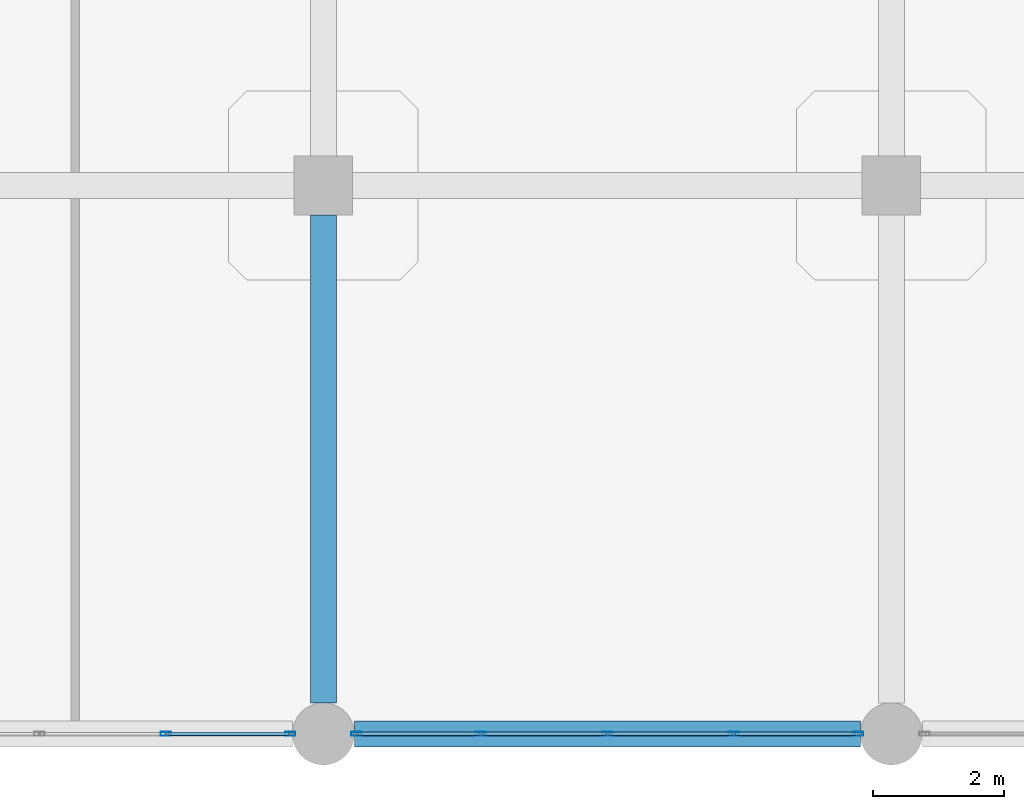
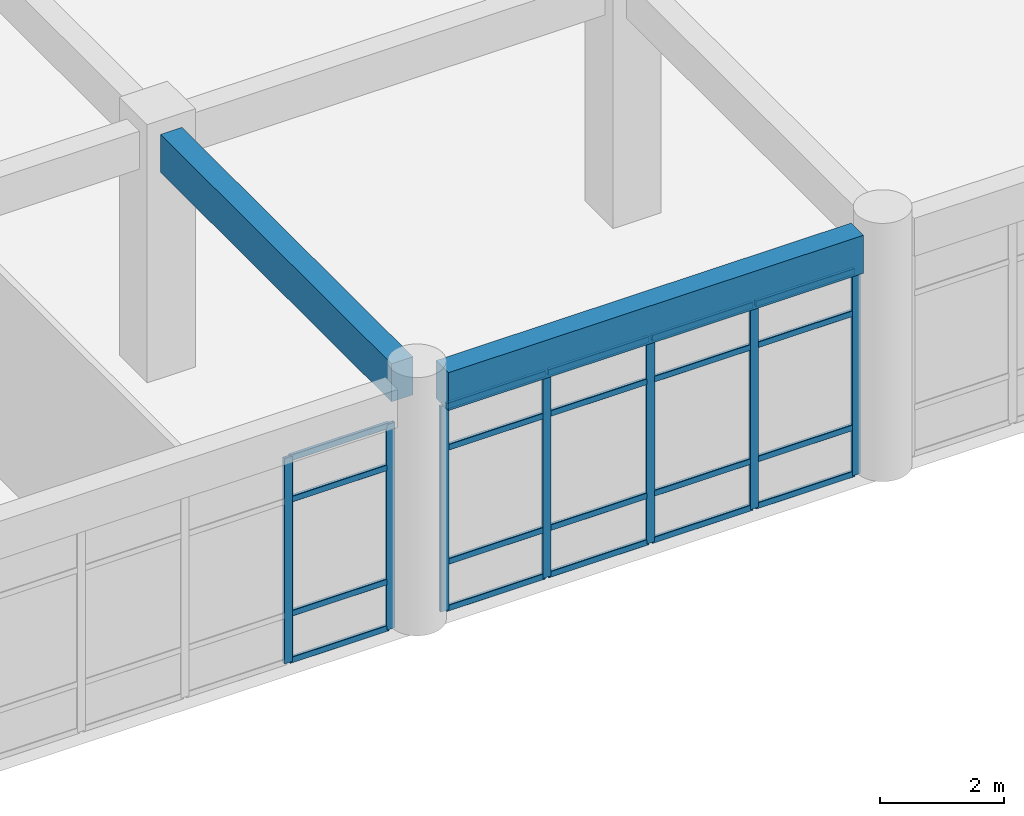
# One storey, part 12 of 120: 27 members, 2 beams, 2 elements without a shape of their own.
"""IFC4 building model written with IfcOpenShell, lengths in metres."""

import ifcopenshell
import ifcopenshell.guid

model = None  # the IFC model being written
_history = None  # IfcOwnerHistory: only IFC2X3 demands one
_inside = {}  # id of a spatial element -> (the spatial element, [elements in it])
_under = {}  # id of a project, library or spatial element -> (it, [spatial elements below it])
_declared = {}  # id of a project -> (the project, [libraries it declares])
_typed = {}  # id of a type object -> (the type object, [elements of that type])
_made_of = {}  # id of a material, layer set ... -> (it, [elements and type objects made of it])


def new_model(schema):
    """Start an empty IFC model of exactly this schema.

    Asked for "IFC4X3", IfcOpenShell would pick the latest addendum, in which some entities
    have other attributes; the version numbers below select the first issue.
    IFC2X3 requires an IfcOwnerHistory on every rooted entity: one is made here for all.
    """
    global model, _history
    if schema == "IFC4X3":
        model = ifcopenshell.file(schema_version=(4, 3, 0, 0))
    else:
        model = ifcopenshell.file(schema=schema)
    _inside.clear()
    _under.clear()
    _declared.clear()
    _typed.clear()
    _made_of.clear()
    _history = None
    if model.schema == "IFC2X3":
        org = make("IfcOrganization", Name="unknown")
        user = make(
            "IfcPersonAndOrganization",
            ThePerson=make("IfcPerson", FamilyName="unknown"),
            TheOrganization=org,
        )
        app = make(
            "IfcApplication",
            ApplicationDeveloper=org,
            Version="unknown",
            ApplicationFullName="unknown",
            ApplicationIdentifier="unknown",
        )
        _history = make(
            "IfcOwnerHistory",
            OwningUser=user,
            OwningApplication=app,
            ChangeAction="ADDED",
            CreationDate=0,
        )
    return model


def make(cls, **values):
    """One entity of the class cls with the attributes given. An attribute that is None is left unset."""
    return model.create_entity(
        cls, **{name: value for name, value in values.items() if value is not None}
    )


def rooted(cls, **values):
    """An entity with a GlobalId (a new one), such as an element, a storey or a relation."""
    return make(cls, GlobalId=ifcopenshell.guid.new(), OwnerHistory=_history, **values)


def si_unit(unit_type, name, prefix=None):
    """IfcSIUnit, for example si_unit("LENGTHUNIT", "METRE", prefix="MILLI")."""
    return make("IfcSIUnit", UnitType=unit_type, Prefix=prefix, Name=name)


def derived_unit(unit_type, elements):
    """IfcDerivedUnit: a product of units, each with its exponent."""
    return make(
        "IfcDerivedUnit",
        Elements=[
            make("IfcDerivedUnitElement", Unit=unit, Exponent=power)
            for unit, power in elements
        ],
        UnitType=unit_type,
    )


def assignment(units):
    """IfcUnitAssignment: the units of a project."""
    return None if units is None else make("IfcUnitAssignment", Units=units)


def point(xyz):
    """IfcCartesianPoint."""
    return None if xyz is None else make("IfcCartesianPoint", Coordinates=xyz)


def direction(xyz):
    """IfcDirection."""
    return None if xyz is None else make("IfcDirection", DirectionRatios=xyz)


def frame(location, z_axis=None, x_axis=None):
    """IfcAxis2Placement3D, a coordinate frame: its origin and axes. An axis left out is left unset."""
    return make(
        "IfcAxis2Placement3D",
        Location=point(location),
        Axis=direction(z_axis),
        RefDirection=direction(x_axis),
    )


def frame_2d(location, x_axis=None):
    """IfcAxis2Placement2D, a coordinate frame in the plane: its origin and x axis."""
    return make(
        "IfcAxis2Placement2D", Location=point(location), RefDirection=direction(x_axis)
    )


def origin():
    """The frame at (0, 0, 0) with its axes left unset."""
    return frame((0.0, 0.0, 0.0))


def origin_2d():
    """The frame at (0, 0) in the plane with its x axis left unset."""
    return frame_2d((0.0, 0.0))


def place(relative_to, where):
    """IfcLocalPlacement: puts the frame where relative to a parent placement (None: the world)."""
    return make(
        "IfcLocalPlacement", PlacementRelTo=relative_to, RelativePlacement=where
    )


def context(
    kind, dimensions, precision=None, world=None, true_north=None, identifier=None
):
    """IfcGeometricRepresentationContext, for example the 3D "Model" context."""
    return make(
        "IfcGeometricRepresentationContext",
        ContextIdentifier=identifier,
        ContextType=kind,
        CoordinateSpaceDimension=dimensions,
        Precision=precision,
        WorldCoordinateSystem=world,
        TrueNorth=true_north,
    )


def subcontext(parent, identifier, kind, view, scale=None):
    """IfcGeometricRepresentationSubContext, for example "Body" below "Model"."""
    return make(
        "IfcGeometricRepresentationSubContext",
        ContextIdentifier=identifier,
        ContextType=kind,
        ParentContext=parent,
        TargetScale=scale,
        TargetView=view,
    )


def project(units=None, contexts=None):
    """IfcProject with its units and contexts."""
    return rooted(
        "IfcProject",
        Name="project",
        RepresentationContexts=contexts,
        UnitsInContext=assignment(units),
    )


def spatial(cls, under=None, at=None, **own):
    """A site, building, storey or space (cls), placed at a placement, below another one or the project."""
    s = rooted(cls, ObjectPlacement=at, **own)
    if under is not None:
        _under.setdefault(under.id(), (under, []))[1].append(s)
    return s


def profile(cls, at=None, kind="AREA", **sizes):
    """A parametric profile (cls). Its sizes go by their IFC names, for example OverallWidth=200.0."""
    return make(cls, ProfileType=kind, Position=at, **sizes)


def rectangle(**sizes):
    """IfcRectangleProfileDef."""
    return profile("IfcRectangleProfileDef", **sizes)


def hollow_rectangle(**sizes):
    """IfcRectangleHollowProfileDef."""
    return profile("IfcRectangleHollowProfileDef", **sizes)


def extrude(swept, where, along, depth):
    """IfcExtrudedAreaSolid: the profile swept, set in the frame where, extruded along a direction by depth."""
    return make(
        "IfcExtrudedAreaSolid",
        SweptArea=swept,
        Position=where,
        ExtrudedDirection=direction(along),
        Depth=depth,
    )


def shape(context_of_items, identifier, shape_type, items):
    """IfcShapeRepresentation: the items that make up one representation, for example the "Body"."""
    return make(
        "IfcShapeRepresentation",
        ContextOfItems=context_of_items,
        RepresentationIdentifier=identifier,
        RepresentationType=shape_type,
        Items=items,
    )


def material(Name=None, Category=None):
    """IfcMaterial."""
    return make("IfcMaterial", Name=Name, Category=Category)


def layer(
    of_material, thickness, ventilated=None, Name=None, Category=None, Priority=None
):
    """IfcMaterialLayer: one layer of a wall or slab, of a material (None: an air gap)."""
    return make(
        "IfcMaterialLayer",
        Material=of_material,
        LayerThickness=thickness,
        IsVentilated=ventilated,
        Name=Name,
        Category=Category,
        Priority=Priority,
    )


def layer_set(layers, Name=None):
    """IfcMaterialLayerSet."""
    return make("IfcMaterialLayerSet", MaterialLayers=layers, LayerSetName=Name)


def material_profile(
    of_material, cross_section, Name=None, Category=None, Priority=None
):
    """IfcMaterialProfile: a cross section and its material."""
    return make(
        "IfcMaterialProfile",
        Name=Name,
        Material=of_material,
        Profile=cross_section,
        Priority=Priority,
        Category=Category,
    )


def profile_set(profiles, Name=None, composite=None):
    """IfcMaterialProfileSet."""
    return make(
        "IfcMaterialProfileSet",
        Name=Name,
        MaterialProfiles=profiles,
        CompositeProfile=composite,
    )


def made_of(thing, what):
    """Note that an element or type object is made of a material, layer set ...; save() writes the relation."""
    if what is not None:
        _made_of.setdefault(what.id(), (what, []))[1].append(thing)
    return thing


def type_object(cls, material=None, **own):
    """A type object (cls), such as IfcWallType, which elements share."""
    return made_of(rooted(cls, **own), material)


def element(
    cls,
    number,
    at=None,
    inside=None,
    cuts=None,
    type_object=None,
    material=None,
    context=None,
    identifier="Body",
    shape_type=None,
    held_by="IfcProductDefinitionShape",
    body=None,
    shapes=None,
    **own,
):
    """One element of the class cls, such as IfcWall. Its Tag is "e" and its number.

    at: its placement. inside: the storey or other place that contains it. cuts: it is an
    opening in that element (IfcRelVoidsElement). A single representation is given by context,
    identifier, shape_type and body (its items); several are given by shapes. held_by: the class
    of the entity that holds the representations. save() writes the other relations.
    """
    e = rooted(cls, Tag="e%d" % number, ObjectPlacement=at, **own)
    if body is not None:
        shapes = [shape(context, identifier, shape_type, body)]
    if shapes is not None:
        e.Representation = make(held_by, Representations=shapes)
    if inside is not None:
        _inside.setdefault(inside.id(), (inside, []))[1].append(e)
    if cuts is not None:
        rooted(
            "IfcRelVoidsElement", RelatingBuildingElement=cuts, RelatedOpeningElement=e
        )
    if type_object is not None:
        _typed.setdefault(type_object.id(), (type_object, []))[1].append(e)
    return made_of(e, material)


def aggregate(whole, parts):
    """IfcRelAggregates: a whole, such as a stair, and the parts it consists of."""
    return rooted("IfcRelAggregates", RelatingObject=whole, RelatedObjects=parts)


def save(model, path):
    """Write the relations noted so far, then the file.

    IfcRelAggregates (storeys below a building ...), IfcRelContainedInSpatialStructure (elements
    in a storey), IfcRelDefinesByType, IfcRelAssociatesMaterial and IfcRelDeclares: one each for
    every whole, place, type object, material and project.
    """
    for whole, parts in _under.values():
        aggregate(whole, parts)
    for where, things in _inside.values():
        rooted(
            "IfcRelContainedInSpatialStructure",
            RelatedElements=things,
            RelatingStructure=where,
        )
    for kind, things in _typed.values():
        rooted("IfcRelDefinesByType", RelatedObjects=things, RelatingType=kind)
    for what, things in _made_of.values():
        rooted("IfcRelAssociatesMaterial", RelatedObjects=things, RelatingMaterial=what)
    for by, libraries in _declared.values():
        rooted("IfcRelDeclares", RelatingContext=by, RelatedDefinitions=libraries)
    model.write(path)


model = new_model("IFC4")

# Units and contexts
model_context = context("Model", 3, precision=1e-05, world=origin(), true_north=direction((0.0, 1.0)))
body_context = subcontext(model_context, "Body", "Model", "MODEL_VIEW")
ifc_project = project(units=[si_unit("LENGTHUNIT", "METRE"), si_unit("AREAUNIT", "SQUARE_METRE"), si_unit("VOLUMEUNIT", "CUBIC_METRE"), si_unit("PLANEANGLEUNIT", "RADIAN"), si_unit("MASSUNIT", "GRAM", prefix="KILO"), derived_unit("THERMALTRANSMITTANCEUNIT", [(si_unit("MASSUNIT", "GRAM", prefix="KILO"), 1), (si_unit("TIMEUNIT", "SECOND"), -3), (si_unit("THERMODYNAMICTEMPERATUREUNIT", "KELVIN"), -1)])], contexts=[model_context])

# Site, building, storey
site_placement = place(None, origin())
site = spatial("IfcSite", under=ifc_project, at=site_placement, CompositionType="ELEMENT")
building_placement = place(site_placement, origin())
building = spatial("IfcBuilding", under=site, at=building_placement, Name="Qinzheling Arcade Emporium", CompositionType="ELEMENT")
storey_placement = place(building_placement, frame((0.0, 0.0, 11.39990234375)))
storey = spatial("IfcBuildingStorey", under=building, at=storey_placement, Name="L03", CompositionType="ELEMENT", Elevation=11.39990234375)

# Curtain wall, members
ifc_material_1 = material(Name="Anodised aluminium and solar-control double glazing", Category="aluminium")
ifc_layer = layer(ifc_material_1, 0.159912109375, Name="Anodised aluminium and solar-control double glazing", Category="aluminium")
ifc_layer_set = layer_set([ifc_layer], Name="Anodised aluminium and solar-control double glazing")
curtain_wall_type = type_object("IfcCurtainWallType", Name="Arcade Portal Glazed Curtain Wall", PredefinedType="NOTDEFINED", material=ifc_layer_set)
curtain_wall_1_placement = place(storey_placement, origin())
curtain_wall_1 = element("IfcCurtainWall", 1, at=curtain_wall_1_placement, inside=storey, type_object=curtain_wall_type, Name="Curtain Wall CW-L03-151", PredefinedType="NOTDEFINED")
ifc_material_2 = material(Name="Anodised aluminium 6063-T6", Category="aluminium")
ifc_material_profile_1 = material_profile(ifc_material_2, hollow_rectangle(XDim=0.06005859375, YDim=0.159912109375, WallThickness=0.00390625, InnerFilletRadius=0.00390625, OuterFilletRadius=0.008056640625, at=origin_2d()), Name="RHS 160x60x4", Category="aluminium")
ifc_profile_set_1 = profile_set([ifc_material_profile_1], Name="Anodised aluminium 6063-T6")
member_type_1 = type_object("IfcMemberType", Name="Curtain Wall Mullion RHS160x60", PredefinedType="MULLION", material=ifc_profile_set_1)
member_1_placement = place(storey_placement, frame((42.992919921875, 0.0, 0.0), z_axis=(0.0, 0.0, 1.0), x_axis=(0.0, -1.0, 0.0)))
member_1 = element("IfcMember", 2, at=member_1_placement, type_object=member_type_1, Name="CW05 mullion 1", PredefinedType="MULLION", context=body_context, shape_type="SweptSolid", body=[
    extrude(hollow_rectangle(XDim=0.06005859375, YDim=0.159912109375, WallThickness=0.00390625, InnerFilletRadius=0.00390625, OuterFilletRadius=0.008056640625, at=origin_2d()), origin(), (0.0, 0.0, 1.0), 4.05517578125),
])
member_2_placement = place(storey_placement, frame((41.08642578125, 0.0, 0.0), z_axis=(0.0, 0.0, 1.0), x_axis=(0.0, -1.0, 0.0)))
member_2 = element("IfcMember", 3, at=member_2_placement, type_object=member_type_1, Name="CW05 mullion 2", PredefinedType="MULLION", context=body_context, shape_type="SweptSolid", body=[
    extrude(hollow_rectangle(XDim=0.06005859375, YDim=0.159912109375, WallThickness=0.00390625, InnerFilletRadius=0.00390625, OuterFilletRadius=0.008056640625, at=origin_2d()), origin(), (0.0, 0.0, 1.0), 4.05517578125),
])
member_3_placement = place(storey_placement, frame((39.14990234375, 0.0, 0.0), z_axis=(0.0, 0.0, 1.0), x_axis=(0.0, -1.0, 0.0)))
member_3 = element("IfcMember", 4, at=member_3_placement, type_object=member_type_1, Name="CW05 mullion 3", PredefinedType="MULLION", context=body_context, shape_type="SweptSolid", body=[
    extrude(hollow_rectangle(XDim=0.06005859375, YDim=0.159912109375, WallThickness=0.00390625, InnerFilletRadius=0.00390625, OuterFilletRadius=0.008056640625, at=origin_2d()), origin(), (0.0, 0.0, 1.0), 4.05517578125),
])
member_4_placement = place(storey_placement, frame((37.21337890625, 0.0, 0.0), z_axis=(0.0, 0.0, 1.0), x_axis=(0.0, -1.0, 0.0)))
member_4 = element("IfcMember", 5, at=member_4_placement, type_object=member_type_1, Name="CW05 mullion 4", PredefinedType="MULLION", context=body_context, shape_type="SweptSolid", body=[
    extrude(hollow_rectangle(XDim=0.06005859375, YDim=0.159912109375, WallThickness=0.00390625, InnerFilletRadius=0.00390625, OuterFilletRadius=0.008056640625, at=origin_2d()), origin(), (0.0, 0.0, 1.0), 4.05517578125),
])
member_5_placement = place(storey_placement, frame((35.306884765625, 0.0, 0.0), z_axis=(0.0, 0.0, 1.0), x_axis=(0.0, -1.0, 0.0)))
member_5 = element("IfcMember", 6, at=member_5_placement, type_object=member_type_1, Name="CW05 mullion 5", PredefinedType="MULLION", context=body_context, shape_type="SweptSolid", body=[
    extrude(hollow_rectangle(XDim=0.06005859375, YDim=0.159912109375, WallThickness=0.00390625, InnerFilletRadius=0.00390625, OuterFilletRadius=0.008056640625, at=origin_2d()), origin(), (0.0, 0.0, 1.0), 4.05517578125),
])

curtain_wall_2_placement = place(storey_placement, origin())
curtain_wall_2 = element("IfcCurtainWall", 7, at=curtain_wall_2_placement, inside=storey, type_object=curtain_wall_type, Name="Curtain Wall CW-L03-152", PredefinedType="NOTDEFINED")
member_6_placement = place(storey_placement, frame((34.29296875, 0.0, 0.0), z_axis=(0.0, 0.0, 1.0), x_axis=(0.0, -1.0, 0.0)))
member_6 = element("IfcMember", 8, at=member_6_placement, type_object=member_type_1, Name="CW05 mullion 1", PredefinedType="MULLION", context=body_context, shape_type="SweptSolid", body=[
    extrude(hollow_rectangle(XDim=0.06005859375, YDim=0.159912109375, WallThickness=0.00390625, InnerFilletRadius=0.00390625, OuterFilletRadius=0.008056640625, at=origin_2d()), origin(), (0.0, 0.0, 1.0), 4.05517578125),
])
member_7_placement = place(storey_placement, frame((32.386474609375, 0.0, 0.0), z_axis=(0.0, 0.0, 1.0), x_axis=(0.0, -1.0, 0.0)))
member_7 = element("IfcMember", 9, at=member_7_placement, type_object=member_type_1, Name="CW05 mullion 2", PredefinedType="MULLION", context=body_context, shape_type="SweptSolid", body=[
    extrude(hollow_rectangle(XDim=0.06005859375, YDim=0.159912109375, WallThickness=0.00390625, InnerFilletRadius=0.00390625, OuterFilletRadius=0.008056640625, at=origin_2d()), origin(), (0.0, 0.0, 1.0), 4.05517578125),
])

# Member
ifc_material_profile_2 = material_profile(ifc_material_2, hollow_rectangle(XDim=0.06005859375, YDim=0.1201171875, WallThickness=0.00390625, InnerFilletRadius=0.00390625, OuterFilletRadius=0.008056640625, at=origin_2d()), Name="RHS 120x60x4", Category="aluminium")
ifc_profile_set_2 = profile_set([ifc_material_profile_2], Name="Anodised aluminium 6063-T6")
member_type_2 = type_object("IfcMemberType", Name="Curtain Wall Transom RHS120x60", PredefinedType="USERDEFINED", material=ifc_profile_set_2)
member_8_placement = place(storey_placement, frame((42.962890625, 0.0, 0.030029296875), z_axis=(-1.0, 0.0, 0.0), x_axis=(0.0, -1.0, 0.0)))
member_8 = element("IfcMember", 10, at=member_8_placement, type_object=member_type_2, Name="CW05 transom 1.1", ObjectType="TRANSOM", PredefinedType="USERDEFINED", context=body_context, shape_type="SweptSolid", body=[
    extrude(hollow_rectangle(XDim=0.06005859375, YDim=0.1201171875, WallThickness=0.00390625, InnerFilletRadius=0.00390625, OuterFilletRadius=0.008056640625, at=origin_2d()), origin(), (0.0, 0.0, 1.0), 1.846435546875),
])

member_9_placement = place(storey_placement, frame((42.962890625, 0.0, 0.9501953125), z_axis=(-1.0, 0.0, 0.0), x_axis=(0.0, -1.0, 0.0)))
member_9 = element("IfcMember", 11, at=member_9_placement, type_object=member_type_2, Name="CW05 transom 1.2", ObjectType="TRANSOM", PredefinedType="USERDEFINED", context=body_context, shape_type="SweptSolid", body=[
    extrude(hollow_rectangle(XDim=0.06005859375, YDim=0.1201171875, WallThickness=0.00390625, InnerFilletRadius=0.00390625, OuterFilletRadius=0.008056640625, at=origin_2d()), origin(), (0.0, 0.0, 1.0), 1.846435546875),
])

member_10_placement = place(storey_placement, frame((42.962890625, 0.0, 3.205078125), z_axis=(-1.0, 0.0, 0.0), x_axis=(0.0, -1.0, 0.0)))
member_10 = element("IfcMember", 12, at=member_10_placement, type_object=member_type_2, Name="CW05 transom 1.3", ObjectType="TRANSOM", PredefinedType="USERDEFINED", context=body_context, shape_type="SweptSolid", body=[
    extrude(hollow_rectangle(XDim=0.06005859375, YDim=0.1201171875, WallThickness=0.00390625, InnerFilletRadius=0.00390625, OuterFilletRadius=0.008056640625, at=origin_2d()), origin(), (0.0, 0.0, 1.0), 1.846435546875),
])

member_11_placement = place(storey_placement, frame((42.962890625, 0.0, 4.025146484375), z_axis=(-1.0, 0.0, 0.0), x_axis=(0.0, -1.0, 0.0)))
member_11 = element("IfcMember", 13, at=member_11_placement, type_object=member_type_2, Name="CW05 transom 1.4", ObjectType="TRANSOM", PredefinedType="USERDEFINED", context=body_context, shape_type="SweptSolid", body=[
    extrude(hollow_rectangle(XDim=0.06005859375, YDim=0.1201171875, WallThickness=0.00390625, InnerFilletRadius=0.00390625, OuterFilletRadius=0.008056640625, at=origin_2d()), origin(), (0.0, 0.0, 1.0), 1.846435546875),
])

member_12_placement = place(storey_placement, frame((41.056396484375, 0.0, 0.030029296875), z_axis=(-1.0, 0.0, 0.0), x_axis=(0.0, -1.0, 0.0)))
member_12 = element("IfcMember", 14, at=member_12_placement, type_object=member_type_2, Name="CW05 transom 2.1", ObjectType="TRANSOM", PredefinedType="USERDEFINED", context=body_context, shape_type="SweptSolid", body=[
    extrude(hollow_rectangle(XDim=0.06005859375, YDim=0.1201171875, WallThickness=0.00390625, InnerFilletRadius=0.00390625, OuterFilletRadius=0.008056640625, at=origin_2d()), origin(), (0.0, 0.0, 1.0), 1.87646484375),
])

member_13_placement = place(storey_placement, frame((41.056396484375, 0.0, 0.9501953125), z_axis=(-1.0, 0.0, 0.0), x_axis=(0.0, -1.0, 0.0)))
member_13 = element("IfcMember", 15, at=member_13_placement, type_object=member_type_2, Name="CW05 transom 2.2", ObjectType="TRANSOM", PredefinedType="USERDEFINED", context=body_context, shape_type="SweptSolid", body=[
    extrude(hollow_rectangle(XDim=0.06005859375, YDim=0.1201171875, WallThickness=0.00390625, InnerFilletRadius=0.00390625, OuterFilletRadius=0.008056640625, at=origin_2d()), origin(), (0.0, 0.0, 1.0), 1.87646484375),
])

member_14_placement = place(storey_placement, frame((41.056396484375, 0.0, 3.205078125), z_axis=(-1.0, 0.0, 0.0), x_axis=(0.0, -1.0, 0.0)))
member_14 = element("IfcMember", 16, at=member_14_placement, type_object=member_type_2, Name="CW05 transom 2.3", ObjectType="TRANSOM", PredefinedType="USERDEFINED", context=body_context, shape_type="SweptSolid", body=[
    extrude(hollow_rectangle(XDim=0.06005859375, YDim=0.1201171875, WallThickness=0.00390625, InnerFilletRadius=0.00390625, OuterFilletRadius=0.008056640625, at=origin_2d()), origin(), (0.0, 0.0, 1.0), 1.87646484375),
])

member_15_placement = place(storey_placement, frame((41.056396484375, 0.0, 4.025146484375), z_axis=(-1.0, 0.0, 0.0), x_axis=(0.0, -1.0, 0.0)))
member_15 = element("IfcMember", 17, at=member_15_placement, type_object=member_type_2, Name="CW05 transom 2.4", ObjectType="TRANSOM", PredefinedType="USERDEFINED", context=body_context, shape_type="SweptSolid", body=[
    extrude(hollow_rectangle(XDim=0.06005859375, YDim=0.1201171875, WallThickness=0.00390625, InnerFilletRadius=0.00390625, OuterFilletRadius=0.008056640625, at=origin_2d()), origin(), (0.0, 0.0, 1.0), 1.87646484375),
])

member_16_placement = place(storey_placement, frame((39.1201171875, 0.0, 0.030029296875), z_axis=(-1.0, 0.0, 0.0), x_axis=(0.0, -1.0, 0.0)))
member_16 = element("IfcMember", 18, at=member_16_placement, type_object=member_type_2, Name="CW05 transom 3.1", ObjectType="TRANSOM", PredefinedType="USERDEFINED", context=body_context, shape_type="SweptSolid", body=[
    extrude(hollow_rectangle(XDim=0.06005859375, YDim=0.1201171875, WallThickness=0.00390625, InnerFilletRadius=0.00390625, OuterFilletRadius=0.008056640625, at=origin_2d()), origin(), (0.0, 0.0, 1.0), 1.876708984375),
])

member_17_placement = place(storey_placement, frame((39.1201171875, 0.0, 0.9501953125), z_axis=(-1.0, 0.0, 0.0), x_axis=(0.0, -1.0, 0.0)))
member_17 = element("IfcMember", 19, at=member_17_placement, type_object=member_type_2, Name="CW05 transom 3.2", ObjectType="TRANSOM", PredefinedType="USERDEFINED", context=body_context, shape_type="SweptSolid", body=[
    extrude(hollow_rectangle(XDim=0.06005859375, YDim=0.1201171875, WallThickness=0.00390625, InnerFilletRadius=0.00390625, OuterFilletRadius=0.008056640625, at=origin_2d()), origin(), (0.0, 0.0, 1.0), 1.876708984375),
])

member_18_placement = place(storey_placement, frame((39.1201171875, 0.0, 3.205078125), z_axis=(-1.0, 0.0, 0.0), x_axis=(0.0, -1.0, 0.0)))
member_18 = element("IfcMember", 20, at=member_18_placement, type_object=member_type_2, Name="CW05 transom 3.3", ObjectType="TRANSOM", PredefinedType="USERDEFINED", context=body_context, shape_type="SweptSolid", body=[
    extrude(hollow_rectangle(XDim=0.06005859375, YDim=0.1201171875, WallThickness=0.00390625, InnerFilletRadius=0.00390625, OuterFilletRadius=0.008056640625, at=origin_2d()), origin(), (0.0, 0.0, 1.0), 1.876708984375),
])

member_19_placement = place(storey_placement, frame((39.1201171875, 0.0, 4.025146484375), z_axis=(-1.0, 0.0, 0.0), x_axis=(0.0, -1.0, 0.0)))
member_19 = element("IfcMember", 21, at=member_19_placement, type_object=member_type_2, Name="CW05 transom 3.4", ObjectType="TRANSOM", PredefinedType="USERDEFINED", context=body_context, shape_type="SweptSolid", body=[
    extrude(hollow_rectangle(XDim=0.06005859375, YDim=0.1201171875, WallThickness=0.00390625, InnerFilletRadius=0.00390625, OuterFilletRadius=0.008056640625, at=origin_2d()), origin(), (0.0, 0.0, 1.0), 1.876708984375),
])

member_20_placement = place(storey_placement, frame((37.18359375, 0.0, 0.030029296875), z_axis=(-1.0, 0.0, 0.0), x_axis=(0.0, -1.0, 0.0)))
member_20 = element("IfcMember", 22, at=member_20_placement, type_object=member_type_2, Name="CW05 transom 4.1", ObjectType="TRANSOM", PredefinedType="USERDEFINED", context=body_context, shape_type="SweptSolid", body=[
    extrude(hollow_rectangle(XDim=0.06005859375, YDim=0.1201171875, WallThickness=0.00390625, InnerFilletRadius=0.00390625, OuterFilletRadius=0.008056640625, at=origin_2d()), origin(), (0.0, 0.0, 1.0), 1.8466796875),
])

member_21_placement = place(storey_placement, frame((37.18359375, 0.0, 0.9501953125), z_axis=(-1.0, 0.0, 0.0), x_axis=(0.0, -1.0, 0.0)))
member_21 = element("IfcMember", 23, at=member_21_placement, type_object=member_type_2, Name="CW05 transom 4.2", ObjectType="TRANSOM", PredefinedType="USERDEFINED", context=body_context, shape_type="SweptSolid", body=[
    extrude(hollow_rectangle(XDim=0.06005859375, YDim=0.1201171875, WallThickness=0.00390625, InnerFilletRadius=0.00390625, OuterFilletRadius=0.008056640625, at=origin_2d()), origin(), (0.0, 0.0, 1.0), 1.8466796875),
])

member_22_placement = place(storey_placement, frame((37.18359375, 0.0, 3.205078125), z_axis=(-1.0, 0.0, 0.0), x_axis=(0.0, -1.0, 0.0)))
member_22 = element("IfcMember", 24, at=member_22_placement, type_object=member_type_2, Name="CW05 transom 4.3", ObjectType="TRANSOM", PredefinedType="USERDEFINED", context=body_context, shape_type="SweptSolid", body=[
    extrude(hollow_rectangle(XDim=0.06005859375, YDim=0.1201171875, WallThickness=0.00390625, InnerFilletRadius=0.00390625, OuterFilletRadius=0.008056640625, at=origin_2d()), origin(), (0.0, 0.0, 1.0), 1.8466796875),
])

member_23_placement = place(storey_placement, frame((37.18359375, 0.0, 4.025146484375), z_axis=(-1.0, 0.0, 0.0), x_axis=(0.0, -1.0, 0.0)))
member_23 = element("IfcMember", 25, at=member_23_placement, type_object=member_type_2, Name="CW05 transom 4.4", ObjectType="TRANSOM", PredefinedType="USERDEFINED", context=body_context, shape_type="SweptSolid", body=[
    extrude(hollow_rectangle(XDim=0.06005859375, YDim=0.1201171875, WallThickness=0.00390625, InnerFilletRadius=0.00390625, OuterFilletRadius=0.008056640625, at=origin_2d()), origin(), (0.0, 0.0, 1.0), 1.8466796875),
])

aggregate(curtain_wall_1, [member_1, member_2, member_3, member_4, member_5, member_8, member_9, member_10, member_11, member_12, member_13, member_14, member_15, member_16, member_17, member_18, member_19, member_20, member_21, member_22, member_23])

member_24_placement = place(storey_placement, frame((34.262939453125, 0.0, 0.030029296875), z_axis=(-1.0, 0.0, 0.0), x_axis=(0.0, -1.0, 0.0)))
member_24 = element("IfcMember", 26, at=member_24_placement, type_object=member_type_2, Name="CW05 transom 1.1", ObjectType="TRANSOM", PredefinedType="USERDEFINED", context=body_context, shape_type="SweptSolid", body=[
    extrude(hollow_rectangle(XDim=0.06005859375, YDim=0.1201171875, WallThickness=0.00390625, InnerFilletRadius=0.00390625, OuterFilletRadius=0.008056640625, at=origin_2d()), origin(), (0.0, 0.0, 1.0), 1.846435546875),
])

member_25_placement = place(storey_placement, frame((34.262939453125, 0.0, 0.9501953125), z_axis=(-1.0, 0.0, 0.0), x_axis=(0.0, -1.0, 0.0)))
member_25 = element("IfcMember", 27, at=member_25_placement, type_object=member_type_2, Name="CW05 transom 1.2", ObjectType="TRANSOM", PredefinedType="USERDEFINED", context=body_context, shape_type="SweptSolid", body=[
    extrude(hollow_rectangle(XDim=0.06005859375, YDim=0.1201171875, WallThickness=0.00390625, InnerFilletRadius=0.00390625, OuterFilletRadius=0.008056640625, at=origin_2d()), origin(), (0.0, 0.0, 1.0), 1.846435546875),
])

member_26_placement = place(storey_placement, frame((34.262939453125, 0.0, 3.205078125), z_axis=(-1.0, 0.0, 0.0), x_axis=(0.0, -1.0, 0.0)))
member_26 = element("IfcMember", 28, at=member_26_placement, type_object=member_type_2, Name="CW05 transom 1.3", ObjectType="TRANSOM", PredefinedType="USERDEFINED", context=body_context, shape_type="SweptSolid", body=[
    extrude(hollow_rectangle(XDim=0.06005859375, YDim=0.1201171875, WallThickness=0.00390625, InnerFilletRadius=0.00390625, OuterFilletRadius=0.008056640625, at=origin_2d()), origin(), (0.0, 0.0, 1.0), 1.846435546875),
])

member_27_placement = place(storey_placement, frame((34.262939453125, 0.0, 4.025146484375), z_axis=(-1.0, 0.0, 0.0), x_axis=(0.0, -1.0, 0.0)))
member_27 = element("IfcMember", 29, at=member_27_placement, type_object=member_type_2, Name="CW05 transom 1.4", ObjectType="TRANSOM", PredefinedType="USERDEFINED", context=body_context, shape_type="SweptSolid", body=[
    extrude(hollow_rectangle(XDim=0.06005859375, YDim=0.1201171875, WallThickness=0.00390625, InnerFilletRadius=0.00390625, OuterFilletRadius=0.008056640625, at=origin_2d()), origin(), (0.0, 0.0, 1.0), 1.846435546875),
])

aggregate(curtain_wall_2, [member_6, member_7, member_24, member_25, member_26, member_27])

# Beams
ifc_material_3 = material(Name="Concrete C40", Category="concrete")
ifc_material_profile_3 = material_profile(ifc_material_3, rectangle(XDim=0.39990234375, YDim=0.75, at=origin_2d()), Name="RC 400x750", Category="concrete")
ifc_profile_set_3 = profile_set([ifc_material_profile_3], Name="Concrete C40")
beam_type = type_object("IfcBeamType", Name="RC Interior Tie Beam 400x750 C40", PredefinedType="BEAM", material=ifc_profile_set_3)
beam_1_placement = place(storey_placement, frame((35.27490234375, 0.0, 4.445068359375), z_axis=(1.0, 0.0, 0.0), x_axis=(0.0, 1.0, 0.0)))
element("IfcBeam", 30, at=beam_1_placement, inside=storey, type_object=beam_type, Name="Beam BM-L03-X-A-5", PredefinedType="BEAM", context=body_context, shape_type="SweptSolid", body=[
    extrude(rectangle(XDim=0.39990234375, YDim=0.75, at=origin_2d()), origin(), (0.0, 0.0, 1.0), 7.75),
])
beam_2_placement = place(storey_placement, frame((34.800048828125, 0.47509765625, 4.445068359375), z_axis=(0.0, 1.0, 0.0), x_axis=(-1.0, 0.0, 0.0)))
element("IfcBeam", 31, at=beam_2_placement, inside=storey, type_object=beam_type, Name="Beam BM-L03-Y-5-A", PredefinedType="BEAM", context=body_context, shape_type="SweptSolid", body=[
    extrude(rectangle(XDim=0.39990234375, YDim=0.75, at=origin_2d()), origin(), (0.0, 0.0, 1.0), 7.474853515625),
])

save(model, "model.ifc")
